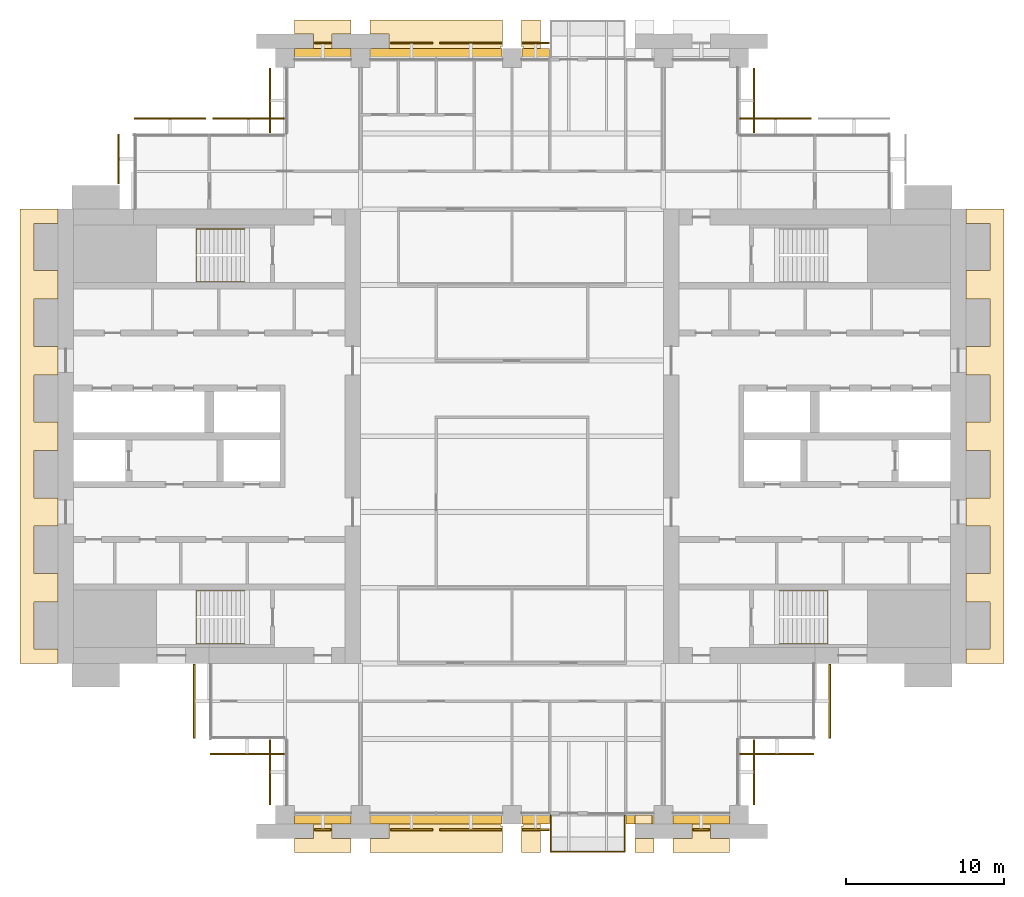
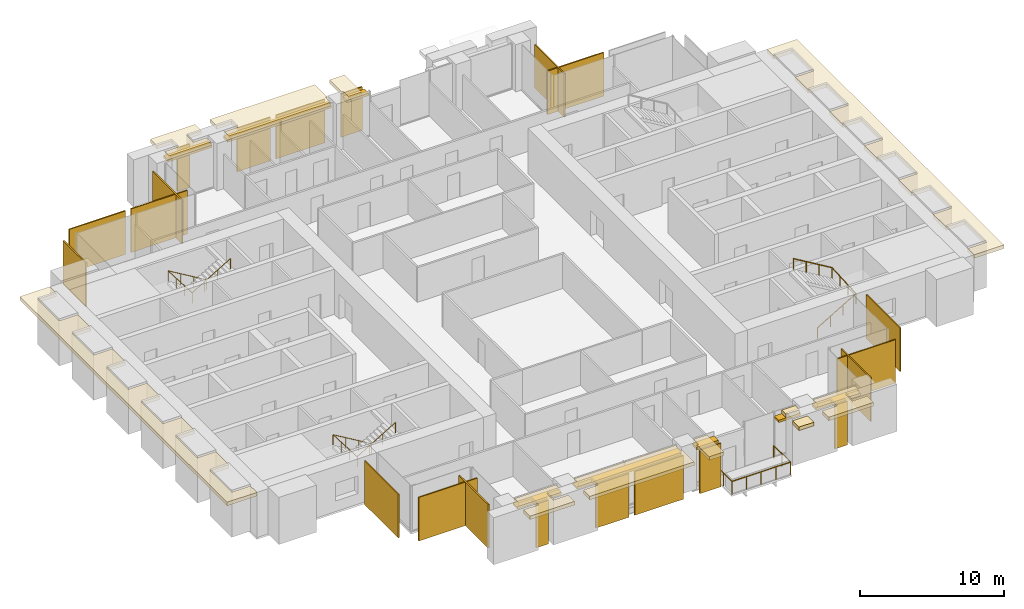
# One storey, part 14 of 15: 32 coverings, 8 shading devices, 4 railings.
"""IFC4 building model written with IfcOpenShell, lengths in metres."""

from ifc_helpers import new_model, si_unit, direction, frame, origin, origin_2d, place, context, subcontext, project, spatial, polyline, rectangle, circle, outline, extrude, material, layer, layer_set, type_object, element, save


model = new_model("IFC4")

# Units and contexts
model_context = context("Model", 3, precision=1e-05, world=origin(), true_north=direction((0.0, 1.0)))
body_context = subcontext(model_context, "Body", "Model", "MODEL_VIEW")
ifc_project = project(units=[si_unit("LENGTHUNIT", "METRE"), si_unit("AREAUNIT", "SQUARE_METRE"), si_unit("VOLUMEUNIT", "CUBIC_METRE"), si_unit("PLANEANGLEUNIT", "RADIAN"), si_unit("MASSUNIT", "GRAM", prefix="KILO")], contexts=[model_context])

# Site, building, storey
site_placement = place(None, origin())
site = spatial("IfcSite", under=ifc_project, at=site_placement, CompositionType="ELEMENT")
building_placement = place(site_placement, origin())
building = spatial("IfcBuilding", under=site, at=building_placement, Name="Baori Bourse Tower", CompositionType="ELEMENT")
storey_placement = place(building_placement, frame((0.0, 0.0, 140.10009765625)))
storey = spatial("IfcBuildingStorey", under=building, at=storey_placement, Name="L30", CompositionType="ELEMENT", Elevation=140.10009765625)

# Coverings
ifc_material_1 = material(Name="Pale anodised aluminium", Category="aluminium")
covering_type_1 = type_object("IfcCoveringType", Name="BD1 Pale metal band", PredefinedType="CLADDING", material=ifc_material_1)
covering_1_placement = place(storey_placement, frame((0.0, 0.0, 3.539794921875)))
element("IfcCovering", 1, at=covering_1_placement, inside=storey, type_object=covering_type_1, Name="Pale projecting band L30 1", PredefinedType="CLADDING", context=body_context, shape_type="SweptSolid", body=[
    extrude(outline(polyline([(57.60009765625, 10.5), (57.60009765625, 9.60009765625), (60.0, 9.60009765625), (60.0, 38.39990234375), (57.60009765625, 38.39990234375), (57.60009765625, 37.5), (59.10009765625, 37.5), (59.10009765625, 34.5), (57.60009765625, 34.5), (57.60009765625, 32.699951171875), (59.10009765625, 32.699951171875), (59.10009765625, 29.699951171875), (57.60009765625, 29.699951171875), (57.60009765625, 27.89990234375), (59.10009765625, 27.89990234375), (59.10009765625, 24.89990234375), (57.60009765625, 24.89990234375), (57.60009765625, 23.10009765625), (59.10009765625, 23.10009765625), (59.10009765625, 20.10009765625), (57.60009765625, 20.10009765625), (57.60009765625, 18.300048828125), (59.10009765625, 18.300048828125), (59.10009765625, 15.300048828125), (57.60009765625, 15.300048828125), (57.60009765625, 13.5), (59.10009765625, 13.5), (59.10009765625, 10.5), (57.60009765625, 10.5)])), origin(), (0.0, 0.0, 1.0), 0.300048828125),
])
covering_2_placement = place(storey_placement, frame((0.0, 0.0, 3.539794921875)))
element("IfcCovering", 2, at=covering_2_placement, inside=storey, type_object=covering_type_1, Name="Pale projecting band L30 5", PredefinedType="CLADDING", context=body_context, shape_type="SweptSolid", body=[
    extrude(outline(polyline([(29.52001953125, 48.0), (30.60009765625, 48.0), (30.60009765625, 50.39990234375), (29.39990234375, 50.39990234375), (29.39990234375, 48.719970703125), (29.52001953125, 48.719970703125), (29.52001953125, 48.0)])), origin(), (0.0, 0.0, 1.0), 0.300048828125),
])
covering_3_placement = place(storey_placement, frame((0.0, 0.0, 3.539794921875)))
element("IfcCovering", 3, at=covering_3_placement, inside=storey, type_object=covering_type_1, Name="Pale projecting band L30 6", PredefinedType="CLADDING", context=body_context, shape_type="SweptSolid", body=[
    extrude(outline(polyline([(19.919921875, 48.0), (28.080078125, 48.0), (28.080078125, 48.719970703125), (28.199951171875, 48.719970703125), (28.199951171875, 50.39990234375), (19.800048828125, 50.39990234375), (19.800048828125, 49.5), (21.0, 49.5), (21.0, 48.60009765625), (19.919921875, 48.60009765625), (19.919921875, 48.0)])), origin(), (0.0, 0.0, 1.0), 0.300048828125),
])
covering_4_placement = place(storey_placement, frame((0.0, 0.0, 3.539794921875)))
element("IfcCovering", 4, at=covering_4_placement, inside=storey, type_object=covering_type_1, Name="Pale projecting band L30 7", PredefinedType="CLADDING", context=body_context, shape_type="SweptSolid", body=[
    extrude(outline(polyline([(15.1201171875, 48.0), (18.47998046875, 48.0), (18.47998046875, 48.60009765625), (17.39990234375, 48.60009765625), (17.39990234375, 49.5), (18.60009765625, 49.5), (18.60009765625, 50.39990234375), (15.0, 50.39990234375), (15.0, 49.5), (16.199951171875, 49.5), (16.199951171875, 48.60009765625), (15.1201171875, 48.60009765625), (15.1201171875, 48.0)])), origin(), (0.0, 0.0, 1.0), 0.300048828125),
])
covering_5_placement = place(storey_placement, frame((0.0, 0.0, 3.539794921875)))
element("IfcCovering", 5, at=covering_5_placement, inside=storey, type_object=covering_type_1, Name="Pale projecting band L30 8", PredefinedType="CLADDING", context=body_context, shape_type="SweptSolid", body=[
    extrude(outline(polyline([(0.0, 37.5), (0.0, 38.39990234375), (-2.39990234375, 38.39990234375), (-2.39990234375, 9.60009765625), (0.0, 9.60009765625), (0.0, 10.5), (-1.5, 10.5), (-1.5, 13.5), (0.0, 13.5), (0.0, 15.300048828125), (-1.5, 15.300048828125), (-1.5, 18.300048828125), (0.0, 18.300048828125), (0.0, 20.10009765625), (-1.5, 20.10009765625), (-1.5, 23.10009765625), (0.0, 23.10009765625), (0.0, 24.89990234375), (-1.5, 24.89990234375), (-1.5, 27.89990234375), (0.0, 27.89990234375), (0.0, 29.699951171875), (-1.5, 29.699951171875), (-1.5, 32.699951171875), (0.0, 32.699951171875), (0.0, 34.5), (-1.5, 34.5), (-1.5, 37.5), (0.0, 37.5)])), origin(), (0.0, 0.0, 1.0), 0.300048828125),
])
covering_6_placement = place(storey_placement, frame((0.0, 0.0, 3.539794921875)))
element("IfcCovering", 6, at=covering_6_placement, inside=storey, type_object=covering_type_1, Name="Pale projecting band L30 9", PredefinedType="CLADDING", context=body_context, shape_type="SweptSolid", body=[
    extrude(outline(polyline([(18.47998046875, 0.0), (15.1201171875, 0.0), (15.1201171875, -0.60009765625), (16.199951171875, -0.60009765625), (16.199951171875, -1.5), (15.0, -1.5), (15.0, -2.39990234375), (18.60009765625, -2.39990234375), (18.60009765625, -1.5), (17.39990234375, -1.5), (17.39990234375, -0.60009765625), (18.47998046875, -0.60009765625), (18.47998046875, 0.0)])), origin(), (0.0, 0.0, 1.0), 0.300048828125),
])
covering_7_placement = place(storey_placement, frame((0.0, 0.0, 3.539794921875)))
element("IfcCovering", 7, at=covering_7_placement, inside=storey, type_object=covering_type_1, Name="Pale projecting band L30 10", PredefinedType="CLADDING", context=body_context, shape_type="SweptSolid", body=[
    extrude(outline(polyline([(28.080078125, 0.0), (19.919921875, 0.0), (19.919921875, -0.60009765625), (21.0, -0.60009765625), (21.0, -1.5), (19.800048828125, -1.5), (19.800048828125, -2.39990234375), (28.199951171875, -2.39990234375), (28.199951171875, -0.719970703125), (28.080078125, -0.719970703125), (28.080078125, 0.0)])), origin(), (0.0, 0.0, 1.0), 0.300048828125),
])
covering_8_placement = place(storey_placement, frame((0.0, 0.0, 3.539794921875)))
element("IfcCovering", 8, at=covering_8_placement, inside=storey, type_object=covering_type_1, Name="Pale projecting band L30 11", PredefinedType="CLADDING", context=body_context, shape_type="SweptSolid", body=[
    extrude(outline(polyline([(30.60009765625, 0.0), (29.52001953125, 0.0), (29.52001953125, -0.719970703125), (29.39990234375, -0.719970703125), (29.39990234375, -2.39990234375), (30.60009765625, -2.39990234375), (30.60009765625, 0.0)])), origin(), (0.0, 0.0, 1.0), 0.300048828125),
])
covering_9_placement = place(storey_placement, frame((0.0, 0.0, 3.539794921875)))
element("IfcCovering", 9, at=covering_9_placement, inside=storey, type_object=covering_type_1, Name="Pale projecting band L30 12", PredefinedType="CLADDING", context=body_context, shape_type="SweptSolid", body=[
    extrude(outline(polyline([(37.800048828125, -2.39990234375), (37.800048828125, -1.5), (36.60009765625, -1.5), (36.60009765625, -2.39990234375), (37.800048828125, -2.39990234375)])), origin(), (0.0, 0.0, 1.0), 0.300048828125),
])
covering_10_placement = place(storey_placement, frame((0.0, 0.0, 3.539794921875)))
element("IfcCovering", 10, at=covering_10_placement, inside=storey, type_object=covering_type_1, Name="Pale projecting band L30 13", PredefinedType="CLADDING", context=body_context, shape_type="SweptSolid", body=[
    extrude(outline(polyline([(37.679931640625, 0.0), (36.60009765625, 0.0), (36.60009765625, -0.60009765625), (37.679931640625, -0.60009765625), (37.679931640625, 0.0)])), origin(), (0.0, 0.0, 1.0), 0.300048828125),
])
covering_11_placement = place(storey_placement, frame((0.0, 0.0, 3.539794921875)))
element("IfcCovering", 11, at=covering_11_placement, inside=storey, type_object=covering_type_1, Name="Pale projecting band L30 14", PredefinedType="CLADDING", context=body_context, shape_type="SweptSolid", body=[
    extrude(outline(polyline([(42.47998046875, 0.0), (39.1201171875, 0.0), (39.1201171875, -0.60009765625), (40.199951171875, -0.60009765625), (40.199951171875, -1.5), (39.0, -1.5), (39.0, -2.39990234375), (42.60009765625, -2.39990234375), (42.60009765625, -1.5), (41.39990234375, -1.5), (41.39990234375, -0.60009765625), (42.47998046875, -0.60009765625), (42.47998046875, 0.0)])), origin(), (0.0, 0.0, 1.0), 0.300048828125),
])

# Shading devices
ifc_material_2 = material(Name="Concrete f'c 40 MPa", Category="concrete")
ifc_layer_1 = layer(ifc_material_2, 0.199951171875)
ifc_layer_set_1 = layer_set([ifc_layer_1], Name="BS1 Brise-soleil ledge")
shading_device_type = type_object("IfcShadingDeviceType", Name="BS1 Brise-soleil ledge", PredefinedType="USERDEFINED", material=ifc_layer_set_1)
shading_device_1_placement = place(storey_placement, frame((30.300048828125, 48.300048828125, 3.33984375), z_axis=(0.0, 0.0, 1.0), x_axis=(-1.0, 0.0, 0.0)))
element("IfcShadingDevice", 12, at=shading_device_1_placement, inside=storey, type_object=shading_device_type, Name="Brise-soleil ledge L30 3", ObjectType="BRISE SOLEIL", PredefinedType="USERDEFINED", context=body_context, shape_type="SweptSolid", body=[
    extrude(rectangle(XDim=1.760009765625, YDim=0.60009765625, at=origin_2d()), origin(), (0.0, 0.0, 1.0), 0.199951171875),
])
shading_device_2_placement = place(storey_placement, frame((24.0, 48.300048828125, 3.33984375), z_axis=(0.0, 0.0, 1.0), x_axis=(-1.0, 0.0, 0.0)))
element("IfcShadingDevice", 13, at=shading_device_2_placement, inside=storey, type_object=shading_device_type, Name="Brise-soleil ledge L30 4", ObjectType="BRISE SOLEIL", PredefinedType="USERDEFINED", context=body_context, shape_type="SweptSolid", body=[
    extrude(rectangle(XDim=8.360107421875, YDim=0.60009765625, at=origin_2d()), origin(), (0.0, 0.0, 1.0), 0.199951171875),
])
for number, where, z_axis, x_axis, name in (
    (14, (16.800048828125, 48.300048828125, 3.33984375), (0.0, 0.0, 1.0), (-1.0, 0.0, 0.0), "Brise-soleil ledge L30 5"),
    (15, (16.800048828125, -0.300048828125, 3.33984375), (0.0, 0.0, 1.0), (1.0, 0.0, 0.0), "Brise-soleil ledge L30 6"),
):
    element("IfcShadingDevice", number, at=place(storey_placement, frame(where, z_axis=z_axis, x_axis=x_axis)), inside=storey, type_object=shading_device_type, Name=name, ObjectType="BRISE SOLEIL", PredefinedType="USERDEFINED", context=body_context, shape_type="SweptSolid", body=[
        extrude(rectangle(XDim=3.56005859375, YDim=0.60009765625, at=origin_2d()), origin(), (0.0, 0.0, 1.0), 0.199951171875),
    ])
shading_device_3_placement = place(storey_placement, frame((24.0, -0.300048828125, 3.33984375), z_axis=(0.0, 0.0, 1.0), x_axis=(1.0, 0.0, 0.0)))
element("IfcShadingDevice", 16, at=shading_device_3_placement, inside=storey, type_object=shading_device_type, Name="Brise-soleil ledge L30 7", ObjectType="BRISE SOLEIL", PredefinedType="USERDEFINED", context=body_context, shape_type="SweptSolid", body=[
    extrude(rectangle(XDim=8.360107421875, YDim=0.60009765625, at=origin_2d()), origin(), (0.0, 0.0, 1.0), 0.199951171875),
])
for number, where, z_axis, x_axis, name in (
    (17, (30.300048828125, -0.300048828125, 3.33984375), (0.0, 0.0, 1.0), (1.0, 0.0, 0.0), "Brise-soleil ledge L30 8"),
    (18, (36.89990234375, -0.300048828125, 3.33984375), (0.0, 0.0, 1.0), (1.0, 0.0, 0.0), "Brise-soleil ledge L30 9"),
):
    element("IfcShadingDevice", number, at=place(storey_placement, frame(where, z_axis=z_axis, x_axis=x_axis)), inside=storey, type_object=shading_device_type, Name=name, ObjectType="BRISE SOLEIL", PredefinedType="USERDEFINED", context=body_context, shape_type="SweptSolid", body=[
        extrude(rectangle(XDim=1.760009765625, YDim=0.60009765625, at=origin_2d()), origin(), (0.0, 0.0, 1.0), 0.199951171875),
    ])
shading_device_4_placement = place(storey_placement, frame((40.800048828125, -0.300048828125, 3.33984375), z_axis=(0.0, 0.0, 1.0), x_axis=(1.0, 0.0, 0.0)))
element("IfcShadingDevice", 19, at=shading_device_4_placement, inside=storey, type_object=shading_device_type, Name="Brise-soleil ledge L30 10", ObjectType="BRISE SOLEIL", PredefinedType="USERDEFINED", context=body_context, shape_type="SweptSolid", body=[
    extrude(rectangle(XDim=3.56005859375, YDim=0.60009765625, at=origin_2d()), origin(), (0.0, 0.0, 1.0), 0.199951171875),
])

# Railings
ifc_material_3 = material(Name="Powder-coated steel balustrade", Category="steel")
railing_type_1 = type_object("IfcRailingType", Name="Core stair handrail", PredefinedType="HANDRAIL", material=ifc_material_3)
railing_1_placement = place(storey_placement, frame((11.85009765625, 14.199951171875, 0.16650390625)))
element("IfcRailing", 20, at=railing_1_placement, inside=storey, type_object=railing_type_1, Name="L30 ST1 stair handrail 1", PredefinedType="HANDRAIL", context=body_context, shape_type="SweptSolid", body=[
    extrude(circle(Radius=0.02392578125, at=origin_2d()), frame((0.0, 0.0, 0.8759765625), z_axis=(-0.85927862911, 0.0, 0.511507807912), x_axis=(0.0, -1.0, 0.0)), (0.0, 0.0, 1.0), 3.58447265625),
    extrude(circle(Radius=0.02392578125, at=origin_2d()), frame((-3.080078125, 0.0, 2.70947265625), z_axis=(0.0, -0.998766999029, 0.049643545903), x_axis=(1.0, 0.0, 0.0)), (0.0, 0.0, 1.0), 3.35400390625),
    extrude(circle(Radius=0.02392578125, at=origin_2d()), frame((-3.080078125, -3.349853515625, 2.8759765625), z_axis=(0.85927862911, 0.0, 0.511507807912), x_axis=(0.0, 1.0, 0.0)), (0.0, 0.0, 1.0), 3.58447265625),
    extrude(circle(Radius=0.02099609375, at=origin_2d()), origin(), (0.0, 0.0, 1.0), 0.851806640625),
    extrude(circle(Radius=0.02099609375, at=origin_2d()), frame((-1.026611328125, 0.0, 0.611083984375)), (0.0, 0.0, 1.0), 0.851806640625),
    extrude(circle(Radius=0.02099609375, at=origin_2d()), frame((-2.053466796875, 0.0, 1.222412109375)), (0.0, 0.0, 1.0), 0.851806640625),
    extrude(circle(Radius=0.02099609375, at=origin_2d()), frame((-3.080078125, 0.0, 1.83349609375)), (0.0, 0.0, 1.0), 0.851806640625),
    extrude(circle(Radius=0.02099609375, at=origin_2d()), frame((-3.080078125, -1.11669921875, 1.888916015625)), (0.0, 0.0, 1.0), 0.851806640625),
    extrude(circle(Radius=0.02099609375, at=origin_2d()), frame((-3.080078125, -2.233154296875, 1.944580078125)), (0.0, 0.0, 1.0), 0.851806640625),
    extrude(circle(Radius=0.02099609375, at=origin_2d()), frame((-3.080078125, -3.349853515625, 2.0)), (0.0, 0.0, 1.0), 0.851806640625),
    extrude(circle(Radius=0.02099609375, at=origin_2d()), frame((-2.053466796875, -3.349853515625, 2.611083984375)), (0.0, 0.0, 1.0), 0.851806640625),
    extrude(circle(Radius=0.02099609375, at=origin_2d()), frame((-1.026611328125, -3.349853515625, 3.222412109375)), (0.0, 0.0, 1.0), 0.851806640625),
    extrude(circle(Radius=0.02099609375, at=origin_2d()), frame((0.0, -3.349853515625, 3.83349609375)), (0.0, 0.0, 1.0), 0.851806640625),
])
railing_2_placement = place(storey_placement, frame((11.85009765625, 37.14990234375, 0.16650390625)))
element("IfcRailing", 21, at=railing_2_placement, inside=storey, type_object=railing_type_1, Name="L30 ST2 stair handrail 1", PredefinedType="HANDRAIL", context=body_context, shape_type="SweptSolid", body=[
    extrude(circle(Radius=0.02392578125, at=origin_2d()), frame((0.0, 0.0, 0.8759765625), z_axis=(-0.85927862911, 0.0, 0.511507807912), x_axis=(0.0, -1.0, 0.0)), (0.0, 0.0, 1.0), 3.58447265625),
    extrude(circle(Radius=0.02392578125, at=origin_2d()), frame((-3.080078125, 0.0, 2.70947265625), z_axis=(0.0, -0.998766999029, 0.049643545903), x_axis=(1.0, 0.0, 0.0)), (0.0, 0.0, 1.0), 3.35400390625),
    extrude(circle(Radius=0.02392578125, at=origin_2d()), frame((-3.080078125, -3.349853515625, 2.8759765625), z_axis=(0.85927862911, 0.0, 0.511507807912), x_axis=(0.0, 1.0, 0.0)), (0.0, 0.0, 1.0), 3.58447265625),
    extrude(circle(Radius=0.02099609375, at=origin_2d()), origin(), (0.0, 0.0, 1.0), 0.851806640625),
    extrude(circle(Radius=0.02099609375, at=origin_2d()), frame((-1.026611328125, 0.0, 0.611083984375)), (0.0, 0.0, 1.0), 0.851806640625),
    extrude(circle(Radius=0.02099609375, at=origin_2d()), frame((-2.053466796875, 0.0, 1.222412109375)), (0.0, 0.0, 1.0), 0.851806640625),
    extrude(circle(Radius=0.02099609375, at=origin_2d()), frame((-3.080078125, 0.0, 1.83349609375)), (0.0, 0.0, 1.0), 0.851806640625),
    extrude(circle(Radius=0.02099609375, at=origin_2d()), frame((-3.080078125, -1.11669921875, 1.888916015625)), (0.0, 0.0, 1.0), 0.851806640625),
    extrude(circle(Radius=0.02099609375, at=origin_2d()), frame((-3.080078125, -2.233154296875, 1.944580078125)), (0.0, 0.0, 1.0), 0.851806640625),
    extrude(circle(Radius=0.02099609375, at=origin_2d()), frame((-3.080078125, -3.349853515625, 2.0)), (0.0, 0.0, 1.0), 0.851806640625),
    extrude(circle(Radius=0.02099609375, at=origin_2d()), frame((-2.053466796875, -3.349853515625, 2.611083984375)), (0.0, 0.0, 1.0), 0.851806640625),
    extrude(circle(Radius=0.02099609375, at=origin_2d()), frame((-1.026611328125, -3.349853515625, 3.222412109375)), (0.0, 0.0, 1.0), 0.851806640625),
    extrude(circle(Radius=0.02099609375, at=origin_2d()), frame((0.0, -3.349853515625, 3.83349609375)), (0.0, 0.0, 1.0), 0.851806640625),
])
railing_3_placement = place(storey_placement, frame((45.75, 10.85009765625, 0.16650390625)))
element("IfcRailing", 22, at=railing_3_placement, inside=storey, type_object=railing_type_1, Name="L30 ST3 stair handrail 1", PredefinedType="HANDRAIL", context=body_context, shape_type="SweptSolid", body=[
    extrude(circle(Radius=0.02392578125, at=origin_2d()), frame((0.0, 0.0, 0.8759765625), z_axis=(0.85927862911, 0.0, 0.511507807912), x_axis=(0.0, 1.0, 0.0)), (0.0, 0.0, 1.0), 3.58447265625),
    extrude(circle(Radius=0.02392578125, at=origin_2d()), frame((3.080078125, 0.0, 2.70947265625), z_axis=(0.0, 0.998766999029, 0.049643545903), x_axis=(-1.0, 0.0, 0.0)), (0.0, 0.0, 1.0), 3.35400390625),
    extrude(circle(Radius=0.02392578125, at=origin_2d()), frame((3.080078125, 3.349853515625, 2.8759765625), z_axis=(-0.85927862911, 0.0, 0.511507807912), x_axis=(0.0, -1.0, 0.0)), (0.0, 0.0, 1.0), 3.58447265625),
    extrude(circle(Radius=0.02099609375, at=origin_2d()), origin(), (0.0, 0.0, 1.0), 0.851806640625),
    extrude(circle(Radius=0.02099609375, at=origin_2d()), frame((1.026611328125, 0.0, 0.611083984375)), (0.0, 0.0, 1.0), 0.851806640625),
    extrude(circle(Radius=0.02099609375, at=origin_2d()), frame((2.053466796875, 0.0, 1.222412109375)), (0.0, 0.0, 1.0), 0.851806640625),
    extrude(circle(Radius=0.02099609375, at=origin_2d()), frame((3.080078125, 0.0, 1.83349609375)), (0.0, 0.0, 1.0), 0.851806640625),
    extrude(circle(Radius=0.02099609375, at=origin_2d()), frame((3.080078125, 1.11669921875, 1.888916015625)), (0.0, 0.0, 1.0), 0.851806640625),
    extrude(circle(Radius=0.02099609375, at=origin_2d()), frame((3.080078125, 2.233154296875, 1.944580078125)), (0.0, 0.0, 1.0), 0.851806640625),
    extrude(circle(Radius=0.02099609375, at=origin_2d()), frame((3.080078125, 3.349853515625, 2.0)), (0.0, 0.0, 1.0), 0.851806640625),
    extrude(circle(Radius=0.02099609375, at=origin_2d()), frame((2.053466796875, 3.349853515625, 2.611083984375)), (0.0, 0.0, 1.0), 0.851806640625),
    extrude(circle(Radius=0.02099609375, at=origin_2d()), frame((1.026611328125, 3.349853515625, 3.222412109375)), (0.0, 0.0, 1.0), 0.851806640625),
    extrude(circle(Radius=0.02099609375, at=origin_2d()), frame((0.0, 3.349853515625, 3.83349609375)), (0.0, 0.0, 1.0), 0.851806640625),
])
ifc_material_4 = material(Name="Stainless steel", Category="steel")
railing_type_2 = type_object("IfcRailingType", Name="GD1 Guard", PredefinedType="GUARDRAIL", material=ifc_material_4)
railing_4_placement = place(storey_placement, frame((31.25, -0.030029296875, 0.0)))
element("IfcRailing", 23, at=railing_4_placement, inside=storey, type_object=railing_type_2, Name="Guard balcony S L30 1", PredefinedType="GUARDRAIL", context=body_context, shape_type="SweptSolid", body=[
    extrude(circle(Radius=0.02392578125, at=origin_2d()), frame((0.0, 0.0, 1.076171875), z_axis=(0.0, -1.0, 0.0), x_axis=(1.0, 0.0, 0.0)), (0.0, 0.0, 1.0), 2.320068359375),
    extrude(circle(Radius=0.02392578125, at=origin_2d()), frame((0.0, -2.320068359375, 1.076171875), z_axis=(1.0, 0.0, 0.0), x_axis=(0.0, 1.0, 0.0)), (0.0, 0.0, 1.0), 4.699951171875),
    extrude(circle(Radius=0.02392578125, at=origin_2d()), frame((4.699951171875, -2.320068359375, 1.076171875), z_axis=(0.0, 1.0, 0.0), x_axis=(-1.0, 0.0, 0.0)), (0.0, 0.0, 1.0), 2.320068359375),
    extrude(circle(Radius=0.02099609375, at=origin_2d()), origin(), (0.0, 0.0, 1.0), 1.052001953125),
    extrude(circle(Radius=0.02099609375, at=origin_2d()), frame((0.0, -1.16015625, 0.0)), (0.0, 0.0, 1.0), 1.052001953125),
    extrude(circle(Radius=0.02099609375, at=origin_2d()), frame((0.0, -2.320068359375, 0.0)), (0.0, 0.0, 1.0), 1.052001953125),
    extrude(circle(Radius=0.02099609375, at=origin_2d()), frame((1.175048828125, -2.320068359375, 0.0)), (0.0, 0.0, 1.0), 1.052001953125),
    extrude(circle(Radius=0.02099609375, at=origin_2d()), frame((2.35009765625, -2.320068359375, 0.0)), (0.0, 0.0, 1.0), 1.052001953125),
    extrude(circle(Radius=0.02099609375, at=origin_2d()), frame((3.52490234375, -2.320068359375, 0.0)), (0.0, 0.0, 1.0), 1.052001953125),
    extrude(circle(Radius=0.02099609375, at=origin_2d()), frame((4.699951171875, -2.320068359375, 0.0)), (0.0, 0.0, 1.0), 1.052001953125),
    extrude(circle(Radius=0.02099609375, at=origin_2d()), frame((4.699951171875, -1.16015625, 0.0)), (0.0, 0.0, 1.0), 1.052001953125),
    extrude(circle(Radius=0.02099609375, at=origin_2d()), frame((4.699951171875, 0.0, 0.0)), (0.0, 0.0, 1.0), 1.052001953125),
])

# Coverings
ifc_material_5 = material(Name="Pale anodised aluminium", Category="aluminium")
ifc_layer_2 = layer(ifc_material_5, 0.10009765625)
ifc_layer_set_2 = layer_set([ifc_layer_2], Name="OS3 Outer skin screen panel")
covering_type_2 = type_object("IfcCoveringType", Name="OS3 Outer skin screen panel", PredefinedType="CLADDING", material=ifc_layer_set_2)
covering_12_placement = place(storey_placement, frame((0.0, 0.0, -0.16015625)))
element("IfcCovering", 24, at=covering_12_placement, inside=storey, type_object=covering_type_2, Name="Outer skin screen L30 3", PredefinedType="CLADDING", context=body_context, shape_type="SweptSolid", body=[
    extrude(outline(polyline([(43.25, 44.10009765625), (47.77490234375, 44.10009765625), (47.77490234375, 44.199951171875), (43.25, 44.199951171875), (43.25, 44.10009765625)])), origin(), (0.0, 0.0, 1.0), 3.699951171875),
])
covering_13_placement = place(storey_placement, frame((0.0, 0.0, -0.16015625)))
element("IfcCovering", 25, at=covering_13_placement, inside=storey, type_object=covering_type_2, Name="Outer skin screen L30 4", PredefinedType="CLADDING", context=body_context, shape_type="SweptSolid", body=[
    extrude(outline(polyline([(44.10009765625, 47.35009765625), (44.10009765625, 43.25), (44.199951171875, 43.25), (44.199951171875, 47.35009765625), (44.10009765625, 47.35009765625)])), origin(), (0.0, 0.0, 1.0), 3.699951171875),
])
covering_14_placement = place(storey_placement, frame((0.0, 0.0, -0.16015625)))
element("IfcCovering", 26, at=covering_14_placement, inside=storey, type_object=covering_type_2, Name="Outer skin screen L30 6", PredefinedType="CLADDING", context=body_context, shape_type="SweptSolid", body=[
    extrude(outline(polyline([(29.449951171875, 48.89990234375), (31.14990234375, 48.89990234375), (31.14990234375, 49.0), (29.449951171875, 49.0), (29.449951171875, 48.89990234375)])), origin(), (0.0, 0.0, 1.0), 3.699951171875),
])
covering_15_placement = place(storey_placement, frame((0.0, 0.0, -0.16015625)))
element("IfcCovering", 27, at=covering_15_placement, inside=storey, type_object=covering_type_2, Name="Outer skin screen L30 7", PredefinedType="CLADDING", context=body_context, shape_type="SweptSolid", body=[
    extrude(outline(polyline([(24.22509765625, 48.89990234375), (28.14990234375, 48.89990234375), (28.14990234375, 49.0), (24.22509765625, 49.0), (24.22509765625, 48.89990234375)])), origin(), (0.0, 0.0, 1.0), 3.699951171875),
])
covering_16_placement = place(storey_placement, frame((0.0, 0.0, -0.16015625)))
element("IfcCovering", 28, at=covering_16_placement, inside=storey, type_object=covering_type_2, Name="Outer skin screen L30 8", PredefinedType="CLADDING", context=body_context, shape_type="SweptSolid", body=[
    extrude(outline(polyline([(21.10009765625, 48.89990234375), (23.77490234375, 48.89990234375), (23.77490234375, 49.0), (21.10009765625, 49.0), (21.10009765625, 48.89990234375)])), origin(), (0.0, 0.0, 1.0), 3.699951171875),
])
covering_17_placement = place(storey_placement, frame((0.0, 0.0, -0.16015625)))
element("IfcCovering", 29, at=covering_17_placement, inside=storey, type_object=covering_type_2, Name="Outer skin screen L30 9", PredefinedType="CLADDING", context=body_context, shape_type="SweptSolid", body=[
    extrude(outline(polyline([(16.300048828125, 48.89990234375), (17.300048828125, 48.89990234375), (17.300048828125, 49.0), (16.300048828125, 49.0), (16.300048828125, 48.89990234375)])), origin(), (0.0, 0.0, 1.0), 3.699951171875),
])
covering_18_placement = place(storey_placement, frame((0.0, 0.0, -0.16015625)))
element("IfcCovering", 30, at=covering_18_placement, inside=storey, type_object=covering_type_2, Name="Outer skin screen L30 10", PredefinedType="CLADDING", context=body_context, shape_type="SweptSolid", body=[
    extrude(outline(polyline([(13.5, 43.25), (13.5, 47.35009765625), (13.39990234375, 47.35009765625), (13.39990234375, 43.25), (13.5, 43.25)])), origin(), (0.0, 0.0, 1.0), 3.699951171875),
])
covering_19_placement = place(storey_placement, frame((0.0, 0.0, -0.16015625)))
element("IfcCovering", 31, at=covering_19_placement, inside=storey, type_object=covering_type_2, Name="Outer skin screen L30 11", PredefinedType="CLADDING", context=body_context, shape_type="SweptSolid", body=[
    extrude(outline(polyline([(9.824951171875, 44.10009765625), (14.35009765625, 44.10009765625), (14.35009765625, 44.199951171875), (9.824951171875, 44.199951171875), (9.824951171875, 44.10009765625)])), origin(), (0.0, 0.0, 1.0), 3.699951171875),
])
covering_20_placement = place(storey_placement, frame((0.0, 0.0, -0.16015625)))
element("IfcCovering", 32, at=covering_20_placement, inside=storey, type_object=covering_type_2, Name="Outer skin screen L30 12", PredefinedType="CLADDING", context=body_context, shape_type="SweptSolid", body=[
    extrude(outline(polyline([(4.85009765625, 44.10009765625), (9.375, 44.10009765625), (9.375, 44.199951171875), (4.85009765625, 44.199951171875), (4.85009765625, 44.10009765625)])), origin(), (0.0, 0.0, 1.0), 3.699951171875),
])
covering_21_placement = place(storey_placement, frame((0.0, 0.0, -0.16015625)))
element("IfcCovering", 33, at=covering_21_placement, inside=storey, type_object=covering_type_2, Name="Outer skin screen L30 13", PredefinedType="CLADDING", context=body_context, shape_type="SweptSolid", body=[
    extrude(outline(polyline([(3.89990234375, 40.0), (3.89990234375, 43.14990234375), (3.800048828125, 43.14990234375), (3.800048828125, 40.0), (3.89990234375, 40.0), (3.89990234375, 40.0)])), origin(), (0.0, 0.0, 1.0), 3.699951171875),
])
covering_22_placement = place(storey_placement, frame((0.0, 0.0, -0.16015625)))
element("IfcCovering", 34, at=covering_22_placement, inside=storey, type_object=covering_type_2, Name="Outer skin screen L30 14", PredefinedType="CLADDING", context=body_context, shape_type="SweptSolid", body=[
    extrude(outline(polyline([(8.699951171875, 4.85009765625), (8.699951171875, 9.550048828125), (8.60009765625, 9.550048828125), (8.60009765625, 4.85009765625), (8.699951171875, 4.85009765625)])), origin(), (0.0, 0.0, 1.0), 3.699951171875),
])
covering_23_placement = place(storey_placement, frame((0.0, 0.0, -0.16015625)))
element("IfcCovering", 35, at=covering_23_placement, inside=storey, type_object=covering_type_2, Name="Outer skin screen L30 15", PredefinedType="CLADDING", context=body_context, shape_type="SweptSolid", body=[
    extrude(outline(polyline([(14.35009765625, 3.89990234375), (9.64990234375, 3.89990234375), (9.64990234375, 3.800048828125), (14.35009765625, 3.800048828125), (14.35009765625, 3.89990234375)])), origin(), (0.0, 0.0, 1.0), 3.699951171875),
])
covering_24_placement = place(storey_placement, frame((0.0, 0.0, -0.16015625)))
element("IfcCovering", 36, at=covering_24_placement, inside=storey, type_object=covering_type_2, Name="Outer skin screen L30 16", PredefinedType="CLADDING", context=body_context, shape_type="SweptSolid", body=[
    extrude(outline(polyline([(13.5, 0.64990234375), (13.5, 4.75), (13.39990234375, 4.75), (13.39990234375, 0.64990234375), (13.5, 0.64990234375)])), origin(), (0.0, 0.0, 1.0), 3.699951171875),
])
covering_25_placement = place(storey_placement, frame((0.0, 0.0, -0.16015625)))
element("IfcCovering", 37, at=covering_25_placement, inside=storey, type_object=covering_type_2, Name="Outer skin screen L30 17", PredefinedType="CLADDING", context=body_context, shape_type="SweptSolid", body=[
    extrude(outline(polyline([(17.300048828125, -0.89990234375), (16.300048828125, -0.89990234375), (16.300048828125, -1.0), (17.300048828125, -1.0), (17.300048828125, -0.89990234375)])), origin(), (0.0, 0.0, 1.0), 3.699951171875),
])
covering_26_placement = place(storey_placement, frame((0.0, 0.0, -0.16015625)))
element("IfcCovering", 38, at=covering_26_placement, inside=storey, type_object=covering_type_2, Name="Outer skin screen L30 18", PredefinedType="CLADDING", context=body_context, shape_type="SweptSolid", body=[
    extrude(outline(polyline([(23.77490234375, -0.89990234375), (21.10009765625, -0.89990234375), (21.10009765625, -1.0), (23.77490234375, -1.0), (23.77490234375, -0.89990234375)])), origin(), (0.0, 0.0, 1.0), 3.699951171875),
])
covering_27_placement = place(storey_placement, frame((0.0, 0.0, -0.16015625)))
element("IfcCovering", 39, at=covering_27_placement, inside=storey, type_object=covering_type_2, Name="Outer skin screen L30 19", PredefinedType="CLADDING", context=body_context, shape_type="SweptSolid", body=[
    extrude(outline(polyline([(28.14990234375, -0.89990234375), (24.22509765625, -0.89990234375), (24.22509765625, -1.0), (28.14990234375, -1.0), (28.14990234375, -0.89990234375)])), origin(), (0.0, 0.0, 1.0), 3.699951171875),
])
covering_28_placement = place(storey_placement, frame((0.0, 0.0, -0.16015625)))
element("IfcCovering", 40, at=covering_28_placement, inside=storey, type_object=covering_type_2, Name="Outer skin screen L30 20", PredefinedType="CLADDING", context=body_context, shape_type="SweptSolid", body=[
    extrude(outline(polyline([(31.14990234375, -0.89990234375), (29.449951171875, -0.89990234375), (29.449951171875, -1.0), (31.14990234375, -1.0), (31.14990234375, -0.89990234375)])), origin(), (0.0, 0.0, 1.0), 3.699951171875),
])
covering_29_placement = place(storey_placement, frame((0.0, 0.0, -0.16015625)))
element("IfcCovering", 41, at=covering_29_placement, inside=storey, type_object=covering_type_2, Name="Outer skin screen L30 21", PredefinedType="CLADDING", context=body_context, shape_type="SweptSolid", body=[
    extrude(outline(polyline([(41.300048828125, -0.89990234375), (40.300048828125, -0.89990234375), (40.300048828125, -1.0), (41.300048828125, -1.0), (41.300048828125, -0.89990234375)])), origin(), (0.0, 0.0, 1.0), 3.699951171875),
])
covering_30_placement = place(storey_placement, frame((0.0, 0.0, -0.16015625)))
element("IfcCovering", 42, at=covering_30_placement, inside=storey, type_object=covering_type_2, Name="Outer skin screen L30 22", PredefinedType="CLADDING", context=body_context, shape_type="SweptSolid", body=[
    extrude(outline(polyline([(44.10009765625, 4.75), (44.10009765625, 0.64990234375), (44.199951171875, 0.64990234375), (44.199951171875, 4.75), (44.10009765625, 4.75)])), origin(), (0.0, 0.0, 1.0), 3.699951171875),
])
covering_31_placement = place(storey_placement, frame((0.0, 0.0, -0.16015625)))
element("IfcCovering", 43, at=covering_31_placement, inside=storey, type_object=covering_type_2, Name="Outer skin screen L30 23", PredefinedType="CLADDING", context=body_context, shape_type="SweptSolid", body=[
    extrude(outline(polyline([(47.949951171875, 3.89990234375), (43.25, 3.89990234375), (43.25, 3.800048828125), (47.949951171875, 3.800048828125), (47.949951171875, 3.89990234375)])), origin(), (0.0, 0.0, 1.0), 3.699951171875),
])
covering_32_placement = place(storey_placement, frame((0.0, 0.0, -0.16015625)))
element("IfcCovering", 44, at=covering_32_placement, inside=storey, type_object=covering_type_2, Name="Outer skin screen L30 24", PredefinedType="CLADDING", context=body_context, shape_type="SweptSolid", body=[
    extrude(outline(polyline([(48.89990234375, 9.550048828125), (48.89990234375, 4.85009765625), (49.0, 4.85009765625), (49.0, 9.550048828125), (48.89990234375, 9.550048828125)])), origin(), (0.0, 0.0, 1.0), 3.699951171875),
])

save(model, "model.ifc")
